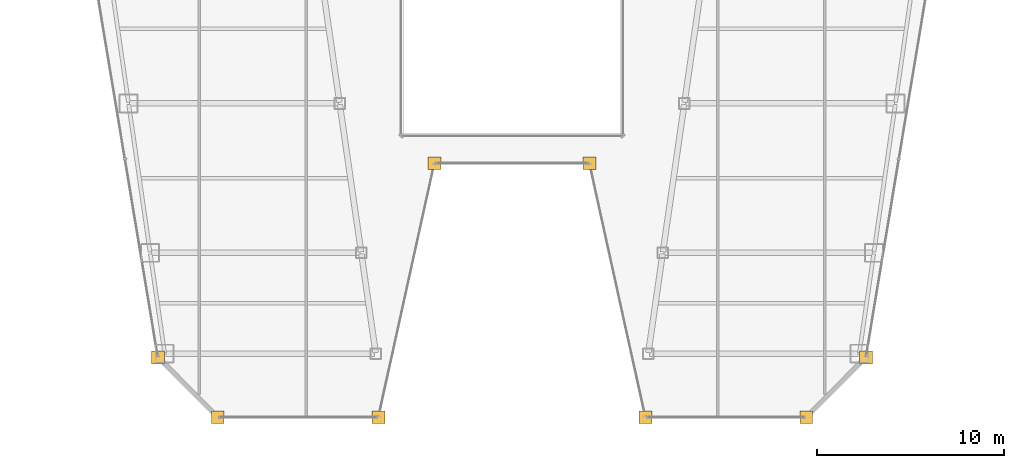
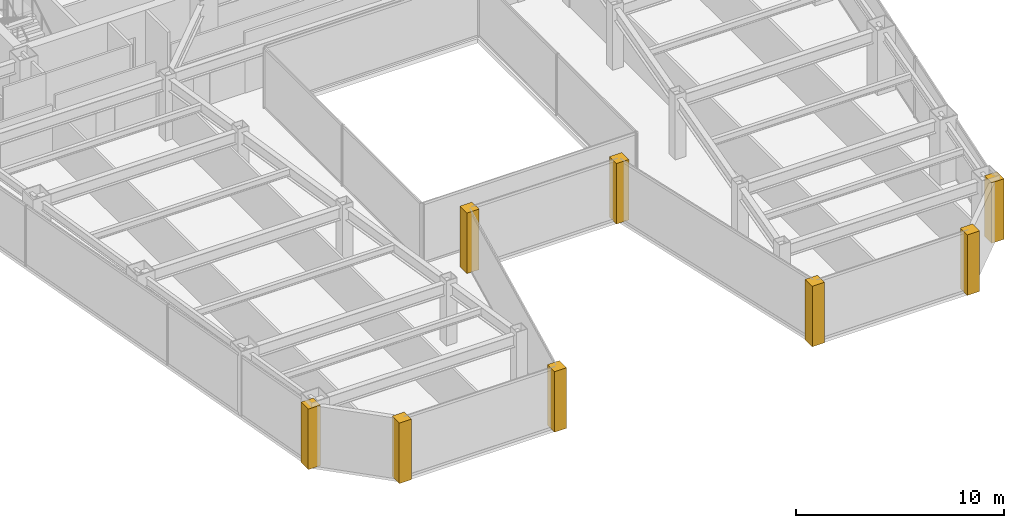
# One storey, part 36 of 38: 8 coverings.
"""IFC4 building model written with IfcOpenShell, lengths in metres."""

from ifc_helpers import new_model, si_unit, direction, frame, origin, place, context, subcontext, project, spatial, polyline, outline, extrude, material, layer, layer_set, type_object, element, save


model = new_model("IFC4")

# Units and contexts
model_context = context("Model", 3, precision=1e-05, world=origin(), true_north=direction((0.0, 1.0)))
body_context = subcontext(model_context, "Body", "Model", "MODEL_VIEW")
ifc_project = project(units=[si_unit("LENGTHUNIT", "METRE"), si_unit("AREAUNIT", "SQUARE_METRE"), si_unit("VOLUMEUNIT", "CUBIC_METRE"), si_unit("PLANEANGLEUNIT", "RADIAN"), si_unit("MASSUNIT", "GRAM", prefix="KILO")], contexts=[model_context])

# Site, building, storey
site_placement = place(None, origin())
site = spatial("IfcSite", under=ifc_project, at=site_placement, CompositionType="ELEMENT")
building_placement = place(site_placement, origin())
building = spatial("IfcBuilding", under=site, at=building_placement, Name="Saevonmaru Cultural Tower", CompositionType="ELEMENT")
storey_placement = place(building_placement, frame((0.0, 0.0, 137.199951171875)))
storey = spatial("IfcBuildingStorey", under=building, at=storey_placement, Name="L29", CompositionType="ELEMENT", Elevation=137.199951171875)

# Coverings
ifc_material = material(Name="Satin Bronze Anodised Aluminium", Category="aluminium")
ifc_layer = layer(ifc_material, 0.679931640625, Name="Satin Bronze Anodised Aluminium")
ifc_layer_set = layer_set([ifc_layer], Name="Satin Bronze Anodised Aluminium")
covering_type = type_object("IfcCoveringType", Name="CV-CORNER-CLAD", PredefinedType="CLADDING", material=ifc_layer_set)
covering_1_placement = place(storey_placement, origin())
element("IfcCovering", 1, at=covering_1_placement, inside=storey, type_object=covering_type, Name="L29 Tower Bronze Corner Cladding Pier 1", PredefinedType="CLADDING", context=body_context, shape_type="SweptSolid", body=[
    extrude(outline(polyline([(10.708984375, 10.06005859375), (11.388916015625, 10.06005859375), (11.388916015625, 10.739990234375), (10.708984375, 10.739990234375), (10.708984375, 10.06005859375)])), origin(), (0.0, 0.0, 1.0), 3.550048828125),
])
covering_2_placement = place(storey_placement, origin())
element("IfcCovering", 2, at=covering_2_placement, inside=storey, type_object=covering_type, Name="L29 Tower Bronze Corner Cladding Pier 2", PredefinedType="CLADDING", context=body_context, shape_type="SweptSolid", body=[
    extrude(outline(polyline([(13.908935546875, 6.860107421875), (14.589111328125, 6.860107421875), (14.589111328125, 7.5400390625), (13.908935546875, 7.5400390625), (13.908935546875, 6.860107421875)])), origin(), (0.0, 0.0, 1.0), 3.550048828125),
])
covering_3_placement = place(storey_placement, origin())
element("IfcCovering", 3, at=covering_3_placement, inside=storey, type_object=covering_type, Name="L29 Tower Bronze Corner Cladding Pier 3", PredefinedType="CLADDING", context=body_context, shape_type="SweptSolid", body=[
    extrude(outline(polyline([(22.509033203125, 6.860107421875), (23.18896484375, 6.860107421875), (23.18896484375, 7.5400390625), (22.509033203125, 7.5400390625), (22.509033203125, 6.860107421875)])), origin(), (0.0, 0.0, 1.0), 3.550048828125),
])
covering_4_placement = place(storey_placement, origin())
element("IfcCovering", 4, at=covering_4_placement, inside=storey, type_object=covering_type, Name="L29 Tower Bronze Corner Cladding Pier 4", PredefinedType="CLADDING", context=body_context, shape_type="SweptSolid", body=[
    extrude(outline(polyline([(25.509033203125, 20.4599609375), (26.18896484375, 20.4599609375), (26.18896484375, 21.139892578125), (25.509033203125, 21.139892578125), (25.509033203125, 20.4599609375)])), origin(), (0.0, 0.0, 1.0), 3.550048828125),
])
covering_5_placement = place(storey_placement, origin())
element("IfcCovering", 5, at=covering_5_placement, inside=storey, type_object=covering_type, Name="L29 Tower Bronze Corner Cladding Pier 5", PredefinedType="CLADDING", context=body_context, shape_type="SweptSolid", body=[
    extrude(outline(polyline([(33.81103515625, 20.4599609375), (34.490966796875, 20.4599609375), (34.490966796875, 21.139892578125), (33.81103515625, 21.139892578125), (33.81103515625, 20.4599609375)])), origin(), (0.0, 0.0, 1.0), 3.550048828125),
])
covering_6_placement = place(storey_placement, origin())
element("IfcCovering", 6, at=covering_6_placement, inside=storey, type_object=covering_type, Name="L29 Tower Bronze Corner Cladding Pier 6", PredefinedType="CLADDING", context=body_context, shape_type="SweptSolid", body=[
    extrude(outline(polyline([(36.81103515625, 6.860107421875), (37.490966796875, 6.860107421875), (37.490966796875, 7.5400390625), (36.81103515625, 7.5400390625), (36.81103515625, 6.860107421875)])), origin(), (0.0, 0.0, 1.0), 3.550048828125),
])
covering_7_placement = place(storey_placement, origin())
element("IfcCovering", 7, at=covering_7_placement, inside=storey, type_object=covering_type, Name="L29 Tower Bronze Corner Cladding Pier 7", PredefinedType="CLADDING", context=body_context, shape_type="SweptSolid", body=[
    extrude(outline(polyline([(45.410888671875, 6.860107421875), (46.091064453125, 6.860107421875), (46.091064453125, 7.5400390625), (45.410888671875, 7.5400390625), (45.410888671875, 6.860107421875)])), origin(), (0.0, 0.0, 1.0), 3.550048828125),
])
covering_8_placement = place(storey_placement, origin())
element("IfcCovering", 8, at=covering_8_placement, inside=storey, type_object=covering_type, Name="L29 Tower Bronze Corner Cladding Pier 8", PredefinedType="CLADDING", context=body_context, shape_type="SweptSolid", body=[
    extrude(outline(polyline([(48.611083984375, 10.06005859375), (49.291015625, 10.06005859375), (49.291015625, 10.739990234375), (48.611083984375, 10.739990234375), (48.611083984375, 10.06005859375)])), origin(), (0.0, 0.0, 1.0), 3.550048828125),
])

save(model, "model.ifc")
